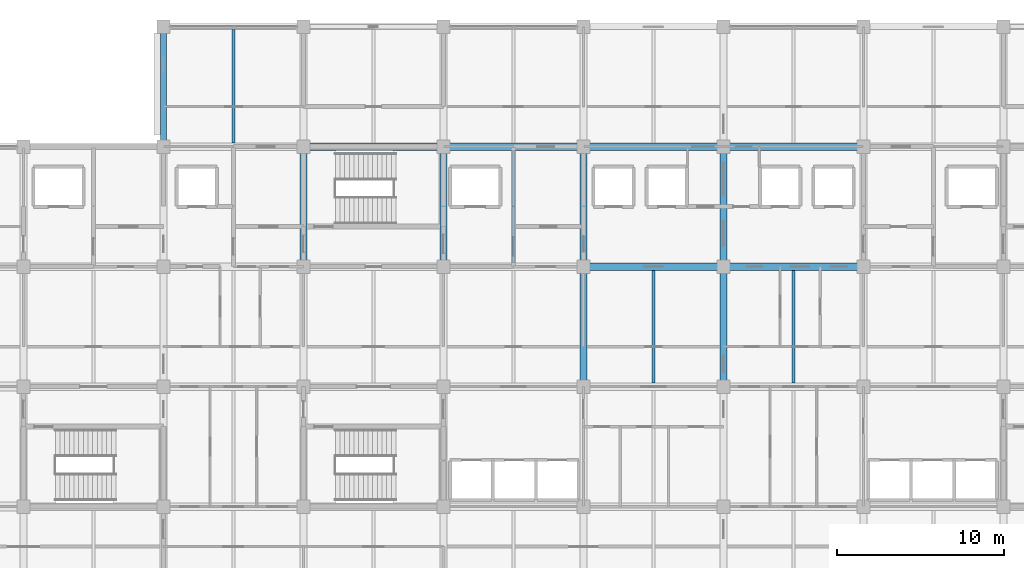
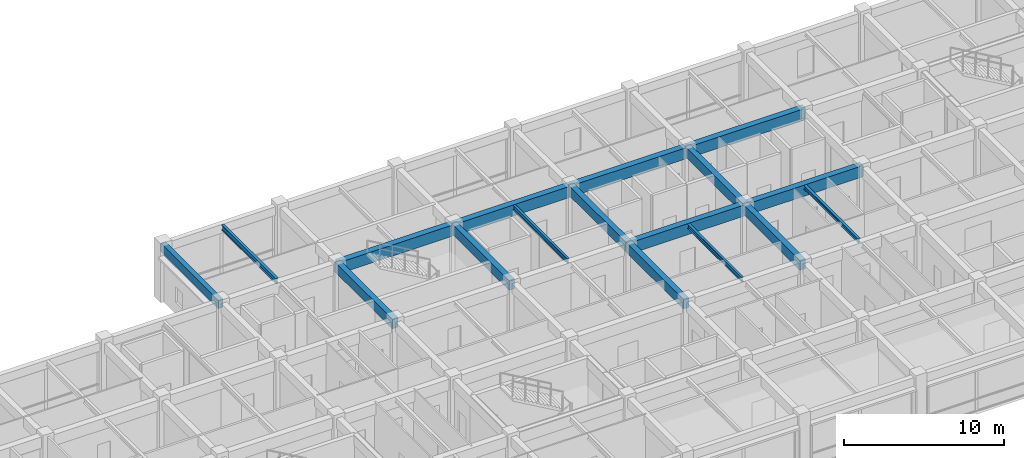
# One storey, part 6 of 30: 17 beams.
"""IFC4 building model written with IfcOpenShell, lengths in metres."""

from ifc_helpers import new_model, si_unit, direction, frame, origin, origin_2d, place, context, subcontext, project, spatial, rectangle, i_section, extrude, material, material_profile, profile_set, type_object, element, save


model = new_model("IFC4")

# Units and contexts
model_context = context("Model", 3, precision=1e-05, world=origin(), true_north=direction((0.0, 1.0)))
body_context = subcontext(model_context, "Body", "Model", "MODEL_VIEW")
ifc_project = project(units=[si_unit("LENGTHUNIT", "METRE"), si_unit("AREAUNIT", "SQUARE_METRE"), si_unit("VOLUMEUNIT", "CUBIC_METRE"), si_unit("PLANEANGLEUNIT", "RADIAN"), si_unit("MASSUNIT", "GRAM", prefix="KILO")], contexts=[model_context])

# Site, building, storey
site_placement = place(None, origin())
site = spatial("IfcSite", under=ifc_project, at=site_placement, CompositionType="ELEMENT")
building_placement = place(site_placement, origin())
building = spatial("IfcBuilding", under=site, at=building_placement, Name="Chengyuan Square Courthouse", CompositionType="ELEMENT")
storey_placement = place(building_placement, frame((0.0, 0.0, 30.60009765625)))
storey = spatial("IfcBuildingStorey", under=building, at=storey_placement, Name="L07", CompositionType="ELEMENT", Elevation=30.60009765625)

# Beams
ifc_material_1 = material(Name="Concrete C40", Category="concrete")
ifc_material_profile_1 = material_profile(ifc_material_1, rectangle(XDim=0.449951171875, YDim=0.85009765625, at=origin_2d()), Name="RC-BM-450x850")
ifc_profile_set_1 = profile_set([ifc_material_profile_1], Name="Concrete C40")
beam_type_1 = type_object("IfcBeamType", Name="BM-01", PredefinedType="USERDEFINED", material=ifc_profile_set_1)
for number, where, z_axis, x_axis, name in (
    (1, (75.60009765625, 100.800048828125, 3.81494140625), (1.0, 0.0, 0.0), (0.0, 1.0, 0.0), "Girder BM-L07-3621"),
    (2, (84.0, 100.800048828125, 3.81494140625), (1.0, 0.0, 0.0), (0.0, 1.0, 0.0), "Girder BM-L07-3622"),
    (3, (58.800048828125, 108.0, 3.81494140625), (1.0, 0.0, 0.0), (0.0, 1.0, 0.0), "Girder BM-L07-3633"),
):
    element("IfcBeam", number, at=place(storey_placement, frame(where, z_axis=z_axis, x_axis=x_axis)), inside=storey, type_object=beam_type_1, Name=name, ObjectType="GIRDER", PredefinedType="USERDEFINED", context=body_context, shape_type="SweptSolid", body=[
        extrude(rectangle(XDim=0.449951171875, YDim=0.85009765625, at=origin_2d()), origin(), (0.0, 0.0, 1.0), 8.39990234375),
    ])
beam_1_placement = place(storey_placement, frame((67.199951171875, 108.0, 3.81494140625), z_axis=(1.0, 0.0, 0.0), x_axis=(0.0, 1.0, 0.0)))
element("IfcBeam", 4, at=beam_1_placement, inside=storey, type_object=beam_type_1, Name="Girder BM-L07-3634", ObjectType="GIRDER", PredefinedType="USERDEFINED", context=body_context, shape_type="SweptSolid", body=[
    extrude(rectangle(XDim=0.449951171875, YDim=0.85009765625, at=origin_2d()), origin(), (0.0, 0.0, 1.0), 8.400146484375),
])
for number, where, z_axis, x_axis, name in (
    (5, (75.60009765625, 108.0, 3.81494140625), (1.0, 0.0, 0.0), (0.0, 1.0, 0.0), "Girder BM-L07-3635"),
    (6, (84.0, 108.0, 3.81494140625), (1.0, 0.0, 0.0), (0.0, 1.0, 0.0), "Girder BM-L07-3636"),
):
    element("IfcBeam", number, at=place(storey_placement, frame(where, z_axis=z_axis, x_axis=x_axis)), inside=storey, type_object=beam_type_1, Name=name, ObjectType="GIRDER", PredefinedType="USERDEFINED", context=body_context, shape_type="SweptSolid", body=[
        extrude(rectangle(XDim=0.449951171875, YDim=0.85009765625, at=origin_2d()), origin(), (0.0, 0.0, 1.0), 8.39990234375),
    ])
ifc_material_profile_2 = material_profile(ifc_material_1, rectangle(XDim=0.39990234375, YDim=0.75, at=origin_2d()), Name="RC-BM-400x750")
ifc_profile_set_2 = profile_set([ifc_material_profile_2], Name="Concrete C40")
beam_type_2 = type_object("IfcBeamType", Name="BM-02", PredefinedType="USERDEFINED", material=ifc_profile_set_2)
for number, where, z_axis, x_axis, name in (
    (7, (58.800048828125, 100.800048828125, 3.864990234375), (0.0, 1.0, 0.0), (-1.0, 0.0, 0.0), "Girder BM-L07-3668"),
    (8, (67.199951171875, 100.800048828125, 3.864990234375), (0.0, 1.0, 0.0), (-1.0, 0.0, 0.0), "Girder BM-L07-3673"),
    (9, (75.60009765625, 93.60009765625, 3.864990234375), (0.0, 1.0, 0.0), (-1.0, 0.0, 0.0), "Girder BM-L07-3677"),
    (10, (75.60009765625, 100.800048828125, 3.864990234375), (0.0, 1.0, 0.0), (-1.0, 0.0, 0.0), "Girder BM-L07-3678"),
    (11, (84.0, 93.60009765625, 3.864990234375), (0.0, 1.0, 0.0), (-1.0, 0.0, 0.0), "Girder BM-L07-3682"),
    (12, (84.0, 100.800048828125, 3.864990234375), (0.0, 1.0, 0.0), (-1.0, 0.0, 0.0), "Girder BM-L07-3683"),
):
    element("IfcBeam", number, at=place(storey_placement, frame(where, z_axis=z_axis, x_axis=x_axis)), inside=storey, type_object=beam_type_2, Name=name, ObjectType="GIRDER", PredefinedType="USERDEFINED", context=body_context, shape_type="SweptSolid", body=[
        extrude(rectangle(XDim=0.39990234375, YDim=0.75, at=origin_2d()), origin(), (0.0, 0.0, 1.0), 7.199951171875),
    ])
ifc_material_profile_3 = material_profile(ifc_material_1, rectangle(XDim=0.35009765625, YDim=0.64990234375, at=origin_2d()), Name="RC-BM-350x650")
ifc_profile_set_3 = profile_set([ifc_material_profile_3], Name="Concrete C40")
beam_type_3 = type_object("IfcBeamType", Name="BM-03", PredefinedType="SPANDREL", material=ifc_profile_set_3)
beam_2_placement = place(storey_placement, frame((50.39990234375, 108.0, 3.914794921875), z_axis=(0.0, 1.0, 0.0), x_axis=(-1.0, 0.0, 0.0)))
element("IfcBeam", 13, at=beam_2_placement, inside=storey, type_object=beam_type_3, Name="Girder BM-L07-3664", PredefinedType="SPANDREL", context=body_context, shape_type="SweptSolid", body=[
    extrude(rectangle(XDim=0.35009765625, YDim=0.64990234375, at=origin_2d()), origin(), (0.0, 0.0, 1.0), 7.199951171875),
])
ifc_material_2 = material(Name="Steel Q355B", Category="steel")
ifc_material_profile_4 = material_profile(ifc_material_2, i_section(OverallWidth=0.199951171875, OverallDepth=0.39990234375, WebThickness=0.008056640625, FlangeThickness=0.012939453125, at=origin_2d()), Name="HN 400x200x8x13")
ifc_profile_set_4 = profile_set([ifc_material_profile_4], Name="Steel Q355B")
beam_type_4 = type_object("IfcBeamType", Name="BM-07", PredefinedType="BEAM", material=ifc_profile_set_4)
beam_3_placement = place(storey_placement, frame((54.60009765625, 108.22509765625, 4.039794921875), z_axis=(0.0, 1.0, 0.0), x_axis=(-1.0, 0.0, 0.0)))
element("IfcBeam", 14, at=beam_3_placement, inside=storey, type_object=beam_type_4, Name="Secondary Floor Beam SBM-L07-3729", PredefinedType="BEAM", context=body_context, shape_type="SweptSolid", body=[
    extrude(i_section(OverallWidth=0.199951171875, OverallDepth=0.39990234375, WebThickness=0.008056640625, FlangeThickness=0.012939453125, at=origin_2d()), origin(), (0.0, 0.0, 1.0), 6.7998046875),
])
ifc_material_profile_5 = material_profile(ifc_material_2, i_section(OverallWidth=0.175048828125, OverallDepth=0.35009765625, WebThickness=0.007080078125, FlangeThickness=0.010986328125, at=origin_2d()), Name="HN 350x175x7x11")
ifc_profile_set_5 = profile_set([ifc_material_profile_5], Name="Steel Q355B")
beam_type_5 = type_object("IfcBeamType", Name="BM-08", PredefinedType="BEAM", material=ifc_profile_set_5)
for number, where, z_axis, x_axis, name in (
    (15, (71.39990234375, 101.02490234375, 4.06494140625), (0.0, 1.0, 0.0), (-1.0, 0.0, 0.0), "Secondary Floor Beam SBM-L07-3735"),
    (16, (79.800048828125, 93.824951171875, 4.06494140625), (0.0, 1.0, 0.0), (-1.0, 0.0, 0.0), "Secondary Floor Beam SBM-L07-3739"),
):
    element("IfcBeam", number, at=place(storey_placement, frame(where, z_axis=z_axis, x_axis=x_axis)), inside=storey, type_object=beam_type_5, Name=name, PredefinedType="BEAM", context=body_context, shape_type="SweptSolid", body=[
        extrude(i_section(OverallWidth=0.175048828125, OverallDepth=0.35009765625, WebThickness=0.007080078125, FlangeThickness=0.010986328125, at=origin_2d()), origin(), (0.0, 0.0, 1.0), 6.75),
    ])
ifc_material_profile_6 = material_profile(ifc_material_2, i_section(OverallWidth=0.199951171875, OverallDepth=0.300048828125, WebThickness=0.008056640625, FlangeThickness=0.011962890625, at=origin_2d()), Name="HM 300x200x8x12")
ifc_profile_set_6 = profile_set([ifc_material_profile_6], Name="Steel Q355B")
beam_type_6 = type_object("IfcBeamType", Name="BM-09", PredefinedType="BEAM", material=ifc_profile_set_6)
beam_4_placement = place(storey_placement, frame((88.199951171875, 93.824951171875, 4.08984375), z_axis=(0.0, 1.0, 0.0), x_axis=(-1.0, 0.0, 0.0)))
element("IfcBeam", 17, at=beam_4_placement, inside=storey, type_object=beam_type_6, Name="Secondary Floor Beam SBM-L07-3743", PredefinedType="BEAM", context=body_context, shape_type="SweptSolid", body=[
    extrude(i_section(OverallWidth=0.199951171875, OverallDepth=0.300048828125, WebThickness=0.008056640625, FlangeThickness=0.011962890625, at=origin_2d()), origin(), (0.0, 0.0, 1.0), 6.75),
])

save(model, "model.ifc")
